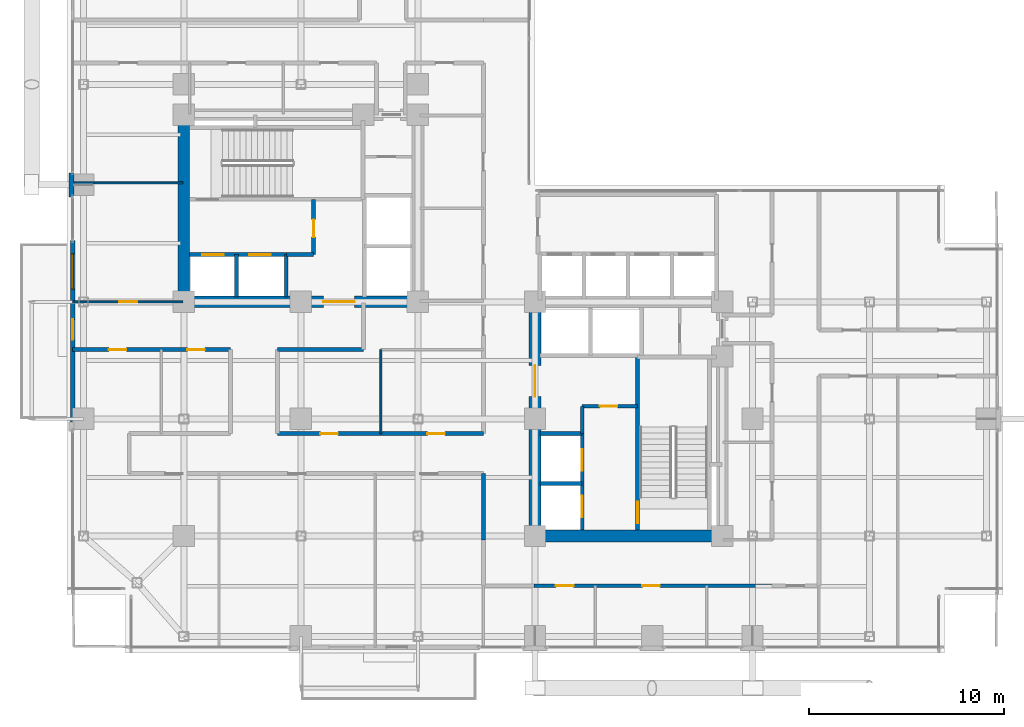
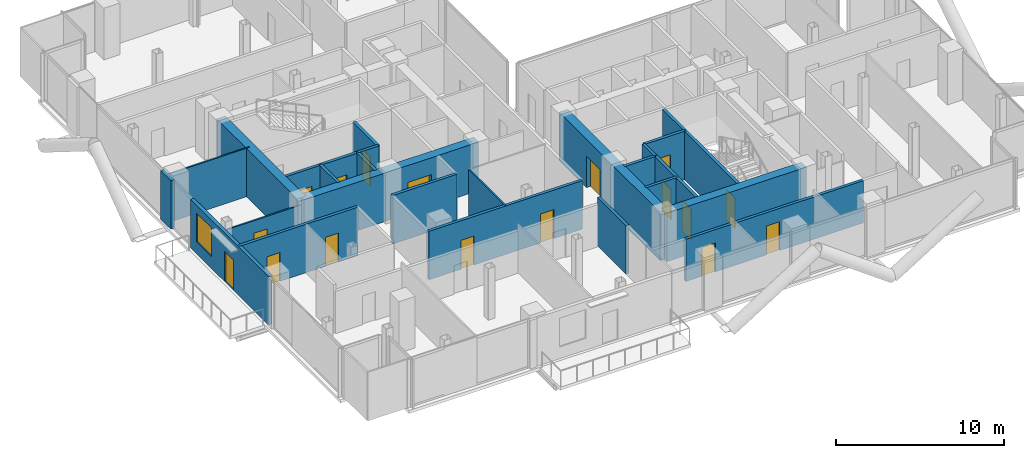
# One storey, part 19 of 24: 25 walls, 17 doors, 1 window, 18 openings.
"""IFC4 building model written with IfcOpenShell, lengths in metres."""

from ifc_helpers import new_model, si_unit, direction, frame, frame_2d, origin, place, context, subcontext, project, spatial, rectangle, extrude, material, layer, layer_set, type_object, element, fill, save


model = new_model("IFC4")

# Units and contexts
model_context = context("Model", 3, precision=1e-05, world=origin(), true_north=direction((0.0, 1.0)))
body_context = subcontext(model_context, "Body", "Model", "MODEL_VIEW")
ifc_project = project(units=[si_unit("LENGTHUNIT", "METRE"), si_unit("AREAUNIT", "SQUARE_METRE"), si_unit("VOLUMEUNIT", "CUBIC_METRE"), si_unit("PLANEANGLEUNIT", "RADIAN"), si_unit("MASSUNIT", "GRAM", prefix="KILO"), si_unit("THERMODYNAMICTEMPERATUREUNIT", "KELVIN"), si_unit("POWERUNIT", "WATT")], contexts=[model_context])

# Site, building, storey
site_placement = place(None, origin())
site = spatial("IfcSite", under=ifc_project, at=site_placement, CompositionType="ELEMENT")
building_placement = place(site_placement, origin())
building = spatial("IfcBuilding", under=site, at=building_placement, Name="Svarakhadi Broadcast Tower", CompositionType="ELEMENT")
storey_placement = place(building_placement, frame((0.0, 0.0, 145.64990234375)))
storey = spatial("IfcBuildingStorey", under=building, at=storey_placement, Name="L35", CompositionType="ELEMENT", Elevation=145.64990234375)

# Wall, openings, doors
ifc_material_1 = material(Name="Double-Stud Acoustic Studio Partition STC-62", Category="gypsum")
ifc_layer_1 = layer(ifc_material_1, 0.199951171875)
ifc_layer_set_1 = layer_set([ifc_layer_1], Name="Double-Stud Acoustic Studio Partition STC-62")
wall_type_1 = type_object("IfcWallType", Name="Wall_Acoust_200", PredefinedType="PARTITIONING", material=ifc_layer_set_1)
wall_1_placement = place(storey_placement, frame((36.14990234375, 3.449951171875, 0.0), z_axis=(0.0, 0.0, 1.0), x_axis=(-1.0, 0.0, 0.0)))
wall_1 = element("IfcWall", 1, at=wall_1_placement, inside=storey, type_object=wall_type_1, Name="L35 Zone 2/3 Corridor Wall", PredefinedType="PARTITIONING", context=body_context, shape_type="SweptSolid", body=[
    extrude(rectangle(XDim=12.199951171875, YDim=0.199951171875, at=frame_2d((6.10009765625, 0.0))), origin(), (0.0, 0.0, 1.0), 3.067138671875),
])
opening_1_placement = place(wall_1_placement, frame((10.175048828125, 0.0, 0.0)))
opening_1 = element("IfcOpeningElement", 2, at=opening_1_placement, cuts=wall_1, Name="Opening D-15", PredefinedType="OPENING", context=body_context, shape_type="SweptSolid", body=[
    extrude(rectangle(XDim=0.89990234375, YDim=2.10009765625, at=frame_2d((0.449951171875, 1.050048828125))), frame((0.0, 0.10986328125, 0.0), z_axis=(0.0, -1.0, 0.0), x_axis=(1.0, 0.0, 0.0)), (0.0, 0.0, 1.0), 0.219970703125),
])
opening_2_placement = place(wall_1_placement, frame((5.75, 0.0, 0.0)))
opening_2 = element("IfcOpeningElement", 3, at=opening_2_placement, cuts=wall_1, Name="Opening D-14", PredefinedType="OPENING", context=body_context, shape_type="SweptSolid", body=[
    extrude(rectangle(XDim=0.89990234375, YDim=2.10009765625, at=frame_2d((0.449951171875, 1.050048828125))), frame((0.0, 0.10986328125, 0.0), z_axis=(0.0, -1.0, 0.0), x_axis=(1.0, 0.0, 0.0)), (0.0, 0.0, 1.0), 0.219970703125),
])
ifc_material_2 = material(Name="Solid-Core Teak Veneer Acoustic Timber Leaf", Category="wood")
door_type_1 = type_object("IfcDoorType", Name="Door_Int_D14", OperationType="SINGLE_SWING_LEFT", PredefinedType="DOOR", material=ifc_material_2)
door_1_placement = place(opening_2_placement, origin())
door_1 = element("IfcDoor", 4, at=door_1_placement, inside=storey, type_object=door_type_1, Name="L35 Client Preview Briefing Room Door", OperationType="SINGLE_SWING_LEFT", OverallHeight=2.10009765625, OverallWidth=0.89990234375, PredefinedType="DOOR", context=body_context, shape_type="SweptSolid", body=[
    extrude(rectangle(XDim=0.89990234375, YDim=2.10009765625, at=frame_2d((0.449951171875, 1.050048828125))), frame((0.0, 0.02490234375, 0.0), z_axis=(0.0, -1.0, 0.0), x_axis=(1.0, 0.0, 0.0)), (0.0, 0.0, 1.0), 0.050048828125),
])
fill(opening_2, door_1)
door_type_2 = type_object("IfcDoorType", Name="Door_Int_D15", OperationType="SINGLE_SWING_RIGHT", PredefinedType="DOOR", material=ifc_material_2)
door_2_placement = place(opening_1_placement, origin())
door_2 = element("IfcDoor", 5, at=door_2_placement, inside=storey, type_object=door_type_2, Name="L35 Harbour Front Production Office Door", OperationType="SINGLE_SWING_RIGHT", OverallHeight=2.10009765625, OverallWidth=0.89990234375, PredefinedType="DOOR", context=body_context, shape_type="SweptSolid", body=[
    extrude(rectangle(XDim=0.89990234375, YDim=2.10009765625, at=frame_2d((0.449951171875, 1.050048828125))), frame((0.0, 0.02490234375, 0.0), z_axis=(0.0, -1.0, 0.0), x_axis=(1.0, 0.0, 0.0)), (0.0, 0.0, 1.0), 0.050048828125),
])
fill(opening_1, door_2)

# Wall
wall_2_placement = place(storey_placement, frame((21.35009765625, 5.800048828125, 0.0), z_axis=(0.0, 0.0, 1.0), x_axis=(0.0, 1.0, 0.0)))
element("IfcWall", 6, at=wall_2_placement, inside=storey, type_object=wall_type_1, Name="L35 Zone 2/3 Corridor Wall", PredefinedType="PARTITIONING", context=body_context, shape_type="SweptSolid", body=[
    extrude(rectangle(XDim=3.39990234375, YDim=0.199951171875, at=frame_2d((1.699951171875, 0.0))), origin(), (0.0, 0.0, 1.0), 3.525146484375),
])

# Wall, openings, doors
wall_3_placement = place(storey_placement, frame((8.39990234375, 15.550048828125, 0.0), z_axis=(0.0, 0.0, 1.0), x_axis=(-1.0, 0.0, 0.0)))
wall_3 = element("IfcWall", 7, at=wall_3_placement, inside=storey, type_object=wall_type_1, Name="L35 Zone 2/3 Corridor Wall", PredefinedType="PARTITIONING", context=body_context, shape_type="SweptSolid", body=[
    extrude(rectangle(XDim=8.099853515625, YDim=0.199951171875, at=frame_2d((4.0498046875, 0.0))), origin(), (0.0, 0.0, 1.0), 3.525146484375),
])
opening_3_placement = place(wall_3_placement, frame((5.35009765625, 0.0, 0.0)))
opening_3 = element("IfcOpeningElement", 8, at=opening_3_placement, cuts=wall_3, Name="Opening D-14", PredefinedType="OPENING", context=body_context, shape_type="SweptSolid", body=[
    extrude(rectangle(XDim=0.89990234375, YDim=2.10009765625, at=frame_2d((0.449951171875, 1.050048828125))), frame((0.0, 0.10986328125, 0.0), z_axis=(0.0, -1.0, 0.0), x_axis=(1.0, 0.0, 0.0)), (0.0, 0.0, 1.0), 0.219970703125),
])
opening_4_placement = place(wall_3_placement, frame((1.324951171875, 0.0, 0.0)))
opening_4 = element("IfcOpeningElement", 9, at=opening_4_placement, cuts=wall_3, Name="Opening D-15", PredefinedType="OPENING", context=body_context, shape_type="SweptSolid", body=[
    extrude(rectangle(XDim=0.89990234375, YDim=2.10009765625, at=frame_2d((0.449951171875, 1.050048828125))), frame((0.0, 0.10986328125, 0.0), z_axis=(0.0, -1.0, 0.0), x_axis=(1.0, 0.0, 0.0)), (0.0, 0.0, 1.0), 0.219970703125),
])
door_3_placement = place(opening_3_placement, origin())
door_3 = element("IfcDoor", 10, at=door_3_placement, inside=storey, type_object=door_type_1, Name="L35 Photogrammetry Rig Room Door", OperationType="SINGLE_SWING_LEFT", OverallHeight=2.10009765625, OverallWidth=0.89990234375, PredefinedType="DOOR", context=body_context, shape_type="SweptSolid", body=[
    extrude(rectangle(XDim=0.89990234375, YDim=2.10009765625, at=frame_2d((0.449951171875, 1.050048828125))), frame((0.0, 0.02490234375, 0.0), z_axis=(0.0, -1.0, 0.0), x_axis=(1.0, 0.0, 0.0)), (0.0, 0.0, 1.0), 0.050048828125),
])
fill(opening_3, door_3)
door_4_placement = place(opening_4_placement, origin())
door_4 = element("IfcDoor", 11, at=door_4_placement, inside=storey, type_object=door_type_2, Name="L35 Pipeline Engineer Office Door", OperationType="SINGLE_SWING_RIGHT", OverallHeight=2.10009765625, OverallWidth=0.89990234375, PredefinedType="DOOR", context=body_context, shape_type="SweptSolid", body=[
    extrude(rectangle(XDim=0.89990234375, YDim=2.10009765625, at=frame_2d((0.449951171875, 1.050048828125))), frame((0.0, 0.02490234375, 0.0), z_axis=(0.0, -1.0, 0.0), x_axis=(1.0, 0.0, 0.0)), (0.0, 0.0, 1.0), 0.050048828125),
])
fill(opening_4, door_4)

# Wall
wall_4_placement = place(storey_placement, frame((15.199951171875, 15.550048828125, 0.0), z_axis=(0.0, 0.0, 1.0), x_axis=(-1.0, 0.0, 0.0)))
element("IfcWall", 12, at=wall_4_placement, inside=storey, type_object=wall_type_1, Name="L35 Zone 2/3 Corridor Wall", PredefinedType="PARTITIONING", context=body_context, shape_type="SweptSolid", body=[
    extrude(rectangle(XDim=4.39990234375, YDim=0.199951171875, at=frame_2d((2.199951171875, 0.0))), origin(), (0.0, 0.0, 1.0), 3.525146484375),
])

# Wall, openings, doors
wall_5_placement = place(storey_placement, frame((10.800048828125, 11.25, 0.0), z_axis=(0.0, 0.0, 1.0), x_axis=(1.0, 0.0, 0.0)))
wall_5 = element("IfcWall", 13, at=wall_5_placement, inside=storey, type_object=wall_type_1, Name="L35 Zone 2/3 Corridor Wall", PredefinedType="PARTITIONING", context=body_context, shape_type="SweptSolid", body=[
    extrude(rectangle(XDim=10.550048828125, YDim=0.199951171875, at=frame_2d((5.27490234375, 0.0))), origin(), (0.0, 0.0, 1.0), 3.525146484375),
])
opening_5_placement = place(wall_5_placement, frame((2.199951171875, 0.0, 0.0)))
opening_5 = element("IfcOpeningElement", 14, at=opening_5_placement, cuts=wall_5, Name="Opening D-15", PredefinedType="OPENING", context=body_context, shape_type="SweptSolid", body=[
    extrude(rectangle(XDim=0.89990234375, YDim=2.10009765625, at=frame_2d((0.449951171875, 1.050048828125))), frame((0.0, 0.10986328125, 0.0), z_axis=(0.0, -1.0, 0.0), x_axis=(1.0, 0.0, 0.0)), (0.0, 0.0, 1.0), 0.219970703125),
])
opening_6_placement = place(wall_5_placement, frame((7.679931640625, 0.0, 0.0)))
opening_6 = element("IfcOpeningElement", 15, at=opening_6_placement, cuts=wall_5, Name="Opening D-13", PredefinedType="OPENING", context=body_context, shape_type="SweptSolid", body=[
    extrude(rectangle(XDim=0.89990234375, YDim=2.10009765625, at=frame_2d((0.449951171875, 1.050048828125))), frame((0.0, 0.10986328125, 0.0), z_axis=(0.0, -1.0, 0.0), x_axis=(1.0, 0.0, 0.0)), (0.0, 0.0, 1.0), 0.219970703125),
])
door_type_3 = type_object("IfcDoorType", Name="Door_Closet_D13", OperationType="SINGLE_SWING_RIGHT", PredefinedType="DOOR", material=ifc_material_2)
door_5_placement = place(opening_6_placement, origin())
door_5 = element("IfcDoor", 16, at=door_5_placement, inside=storey, type_object=door_type_3, Name="L35 Accessible Floor Washroom WC Door", OperationType="SINGLE_SWING_RIGHT", OverallHeight=2.10009765625, OverallWidth=0.89990234375, PredefinedType="DOOR", context=body_context, shape_type="SweptSolid", body=[
    extrude(rectangle(XDim=0.89990234375, YDim=2.10009765625, at=frame_2d((0.449951171875, 1.050048828125))), frame((0.0, 0.02490234375, 0.0), z_axis=(0.0, -1.0, 0.0), x_axis=(1.0, 0.0, 0.0)), (0.0, 0.0, 1.0), 0.050048828125),
])
fill(opening_6, door_5)
door_6_placement = place(opening_5_placement, origin())
door_6 = element("IfcDoor", 17, at=door_6_placement, inside=storey, type_object=door_type_2, Name="L35 Central Review Briefing Pod Door", OperationType="SINGLE_SWING_RIGHT", OverallHeight=2.10009765625, OverallWidth=0.89990234375, PredefinedType="DOOR", context=body_context, shape_type="SweptSolid", body=[
    extrude(rectangle(XDim=0.89990234375, YDim=2.10009765625, at=frame_2d((0.449951171875, 1.050048828125))), frame((0.0, 0.02490234375, 0.0), z_axis=(0.0, -1.0, 0.0), x_axis=(1.0, 0.0, 0.0)), (0.0, 0.0, 1.0), 0.050048828125),
])
fill(opening_5, door_6)

# Wall, openings, door, window
ifc_material_3 = material(Name="Concrete C40/50 (IS 456 M50)", Category="concrete")
ifc_layer_2 = layer(ifc_material_3, 0.239990234375)
ifc_layer_set_2 = layer_set([ifc_layer_2], Name="Concrete C40/50 (IS 456 M50)")
wall_type_2 = type_object("IfcWallType", Name="Wall_Ext_240", PredefinedType="SOLIDWALL", material=ifc_layer_set_2)
wall_6_placement = place(storey_placement, frame((0.300048828125, 11.85498046875, 0.0), z_axis=(0.0, 0.0, 1.0), x_axis=(0.0, 1.0, 0.0)))
wall_6 = element("IfcWall", 18, at=wall_6_placement, inside=storey, type_object=wall_type_2, Name="L35 West Tree Balcony Spandrel Wall", PredefinedType="SOLIDWALL", context=body_context, shape_type="SweptSolid", body=[
    extrude(rectangle(XDim=9.2900390625, YDim=0.239990234375, at=frame_2d((4.64501953125, 0.0))), origin(), (0.0, 0.0, 1.0), 3.525146484375),
])
opening_7_placement = place(wall_6_placement, frame((4.199951171875, 0.0, 0.0)))
opening_7 = element("IfcOpeningElement", 19, at=opening_7_placement, cuts=wall_6, Name="Opening ED-06", PredefinedType="OPENING", context=body_context, shape_type="SweptSolid", body=[
    extrude(rectangle(XDim=1.050048828125, YDim=2.199951171875, at=frame_2d((0.52490234375, 1.10009765625))), frame((0.0, 0.1298828125, 0.0), z_axis=(0.0, -1.0, 0.0), x_axis=(1.0, 0.0, 0.0)), (0.0, 0.0, 1.0), 0.260009765625),
])
opening_8_placement = place(wall_6_placement, frame((6.800048828125, 0.0, 0.85009765625)))
opening_8 = element("IfcOpeningElement", 20, at=opening_8_placement, cuts=wall_6, Name="Opening WN-02", PredefinedType="OPENING", context=body_context, shape_type="SweptSolid", body=[
    extrude(rectangle(XDim=1.800048828125, YDim=2.10009765625, at=frame_2d((0.89990234375, 1.050048828125))), frame((0.0, 0.1298828125, 0.0), z_axis=(0.0, -1.0, 0.0), x_axis=(1.0, 0.0, 0.0)), (0.0, 0.0, 1.0), 0.260009765625),
])
ifc_material_4 = material(Name="Anodised Bronze Aluminium AA 6063-T6", Category="aluminium")
door_type_4 = type_object("IfcDoorType", Name="Door_Ext_ED06", OperationType="SINGLE_SWING_RIGHT", PredefinedType="DOOR", material=ifc_material_4)
door_7_placement = place(opening_7_placement, origin())
door_7 = element("IfcDoor", 21, at=door_7_placement, inside=storey, type_object=door_type_4, Name="L35 West Tree Balcony Door", OperationType="SINGLE_SWING_RIGHT", OverallHeight=2.199951171875, OverallWidth=1.050048828125, PredefinedType="DOOR", context=body_context, shape_type="SweptSolid", body=[
    extrude(rectangle(XDim=1.050048828125, YDim=2.199951171875, at=frame_2d((0.52490234375, 1.10009765625))), frame((0.0, 0.02490234375, 0.0), z_axis=(0.0, -1.0, 0.0), x_axis=(1.0, 0.0, 0.0)), (0.0, 0.0, 1.0), 0.050048828125),
])
fill(opening_7, door_7)
ifc_material_5 = material(Name="Double Low-E Laminated Acoustic Glass IGU 36 mm", Category="glass")
window_type = type_object("IfcWindowType", Name="Win_Fixed_WN02", PartitioningType="SINGLE_PANEL", PredefinedType="WINDOW", material=ifc_material_5)
window_placement = place(opening_8_placement, origin())
window = element("IfcWindow", 22, at=window_placement, inside=storey, type_object=window_type, Name="L35 West Tree Balcony Window", OverallHeight=2.10009765625, OverallWidth=1.800048828125, PartitioningType="SINGLE_PANEL", PredefinedType="WINDOW", context=body_context, shape_type="SweptSolid", body=[
    extrude(rectangle(XDim=1.800048828125, YDim=2.10009765625, at=frame_2d((0.89990234375, 1.050048828125))), frame((0.0, 0.030029296875, 0.0), z_axis=(0.0, -1.0, 0.0), x_axis=(1.0, 0.0, 0.0)), (0.0, 0.0, 1.0), 0.06005859375),
])
fill(opening_8, window)

# Walls
wall_7_placement = place(storey_placement, frame((0.239990234375, 23.385009765625, 0.0), z_axis=(0.0, 0.0, 1.0), x_axis=(0.0, 1.0, 0.0)))
element("IfcWall", 23, at=wall_7_placement, inside=storey, type_object=wall_type_2, Name="L35 Perimeter Bronze Spandrel Closure Wall 02", PredefinedType="SOLIDWALL", context=body_context, shape_type="SweptSolid", body=[
    extrude(rectangle(XDim=1.22998046875, YDim=0.239990234375, at=frame_2d((0.614990234375, 0.0))), origin(), (0.0, 0.0, 1.0), 3.525146484375),
])
ifc_material_6 = material(Name="Fire-Rated Moisture-Resistant Gypsum Board Partition", Category="gypsum")
ifc_layer_3 = layer(ifc_material_6, 0.10009765625)
ifc_layer_set_3 = layer_set([ifc_layer_3], Name="Fire-Rated Moisture-Resistant Gypsum Board Partition")
wall_type_3 = type_object("IfcWallType", Name="Wall_Part_100", PredefinedType="PARTITIONING", material=ifc_layer_set_3)
wall_8_placement = place(storey_placement, frame((16.10009765625, 11.25, 0.0), z_axis=(0.0, 0.0, 1.0), x_axis=(0.0, 1.0, 0.0)))
element("IfcWall", 24, at=wall_8_placement, inside=storey, type_object=wall_type_3, Name="L35 Central Review Briefing Pod Wall", PredefinedType="PARTITIONING", context=body_context, shape_type="SweptSolid", body=[
    extrude(rectangle(XDim=4.300048828125, YDim=0.10009765625, at=frame_2d((2.14990234375, 0.0))), origin(), (0.0, 0.0, 1.0), 3.525146484375),
])

# Wall, opening, door
wall_9_placement = place(storey_placement, frame((0.300048828125, 18.0, 0.0), z_axis=(0.0, 0.0, 1.0), x_axis=(1.0, 0.0, 0.0)))
wall_9 = element("IfcWall", 25, at=wall_9_placement, inside=storey, type_object=wall_type_3, Name="L35 Arabian Sea Executive Studio Wall", PredefinedType="PARTITIONING", context=body_context, shape_type="SweptSolid", body=[
    extrude(rectangle(XDim=5.64990234375, YDim=0.10009765625, at=frame_2d((2.824951171875, 0.0))), origin(), (0.0, 0.0, 1.0), 3.01708984375),
])
opening_9_placement = place(wall_9_placement, frame((2.39990234375, 0.0, 0.0)))
opening_9 = element("IfcOpeningElement", 26, at=opening_9_placement, cuts=wall_9, Name="Opening D-15", PredefinedType="OPENING", context=body_context, shape_type="SweptSolid", body=[
    extrude(rectangle(XDim=0.89990234375, YDim=2.10009765625, at=frame_2d((0.449951171875, 1.050048828125))), frame((0.0, 0.06005859375, 0.0), z_axis=(0.0, -1.0, 0.0), x_axis=(1.0, 0.0, 0.0)), (0.0, 0.0, 1.0), 0.1201171875),
])
door_8_placement = place(opening_9_placement, origin())
door_8 = element("IfcDoor", 27, at=door_8_placement, inside=storey, type_object=door_type_2, Name="L35 Arabian Sea Executive Studio Door", OperationType="SINGLE_SWING_RIGHT", OverallHeight=2.10009765625, OverallWidth=0.89990234375, PredefinedType="DOOR", context=body_context, shape_type="SweptSolid", body=[
    extrude(rectangle(XDim=0.89990234375, YDim=2.10009765625, at=frame_2d((0.449951171875, 1.050048828125))), frame((0.0, 0.02490234375, 0.0), z_axis=(0.0, -1.0, 0.0), x_axis=(1.0, 0.0, 0.0)), (0.0, 0.0, 1.0), 0.050048828125),
])
fill(opening_9, door_8)

# Wall
wall_10_placement = place(storey_placement, frame((0.300048828125, 24.10009765625, 0.0), z_axis=(0.0, 0.0, 1.0), x_axis=(1.0, 0.0, 0.0)))
element("IfcWall", 28, at=wall_10_placement, inside=storey, type_object=wall_type_3, Name="L35 Arabian Sea Executive Studio Wall", PredefinedType="PARTITIONING", context=body_context, shape_type="SweptSolid", body=[
    extrude(rectangle(XDim=5.64990234375, YDim=0.10009765625, at=frame_2d((2.824951171875, 0.0))), origin(), (0.0, 0.0, 1.0), 3.525146484375),
])

# Wall, opening, door
ifc_material_7 = material(Name="Concrete C50/60 (IS 456 M60)", Category="concrete")
ifc_layer_4 = layer(ifc_material_7, 0.199951171875)
ifc_layer_set_4 = layer_set([ifc_layer_4], Name="Concrete C50/60 (IS 456 M60)")
wall_type_4 = type_object("IfcWallType", Name="Wall_Shear_200", PredefinedType="SHEAR", material=ifc_layer_set_4)
wall_11_placement = place(storey_placement, frame((29.260009765625, 6.300048828125, 0.0), z_axis=(0.0, 0.0, 1.0), x_axis=(0.0, 1.0, 0.0)))
wall_11 = element("IfcWall", 29, at=wall_11_placement, inside=storey, type_object=wall_type_4, Name="L35 Stair ST-02 West RC Shaft Wall", PredefinedType="SHEAR", context=body_context, shape_type="SweptSolid", body=[
    extrude(rectangle(XDim=8.8798828125, YDim=0.199951171875, at=frame_2d((4.43994140625, 0.0))), origin(), (0.0, 0.0, 1.0), 3.525146484375),
])
opening_10_placement = place(wall_11_placement, frame((0.35009765625, 0.0, 0.0)))
opening_10 = element("IfcOpeningElement", 30, at=opening_10_placement, cuts=wall_11, Name="Opening D-02", PredefinedType="OPENING", context=body_context, shape_type="SweptSolid", body=[
    extrude(rectangle(XDim=1.10009765625, YDim=2.199951171875, at=frame_2d((0.550048828125, 1.10009765625))), frame((0.0, 0.10986328125, 0.0), z_axis=(0.0, -1.0, 0.0), x_axis=(1.0, 0.0, 0.0)), (0.0, 0.0, 1.0), 0.219970703125),
])
ifc_material_8 = material(Name="Galvanised Powder-Coated Fire-Rated Steel Leaf", Category="steel")
door_type_5 = type_object("IfcDoorType", Name="Door_Stair_D02", OperationType="SINGLE_SWING_RIGHT", PredefinedType="DOOR", material=ifc_material_8)
door_9_placement = place(opening_10_placement, origin())
door_9 = element("IfcDoor", 31, at=door_9_placement, inside=storey, type_object=door_type_5, Name="L35 Protected Exit Stair ST-02 Fire Door", OperationType="SINGLE_SWING_RIGHT", OverallHeight=2.199951171875, OverallWidth=1.10009765625, PredefinedType="DOOR", context=body_context, shape_type="SweptSolid", body=[
    extrude(rectangle(XDim=1.10009765625, YDim=2.199951171875, at=frame_2d((0.550048828125, 1.10009765625))), frame((0.0, 0.02490234375, 0.0), z_axis=(0.0, -1.0, 0.0), x_axis=(1.0, 0.0, 0.0)), (0.0, 0.0, 1.0), 0.050048828125),
])
fill(opening_10, door_9)

# Wall, openings, doors
wall_12_placement = place(storey_placement, frame((6.300048828125, 20.419921875, 0.0), z_axis=(0.0, 0.0, 1.0), x_axis=(1.0, 0.0, 0.0)))
wall_12 = element("IfcWall", 32, at=wall_12_placement, inside=storey, type_object=wall_type_4, Name="L35 Firefighting Lift LF-01/02 Shaft Wall", PredefinedType="SHEAR", context=body_context, shape_type="SweptSolid", body=[
    extrude(rectangle(XDim=4.949951171875, YDim=0.199951171875, at=frame_2d((2.47509765625, 0.0))), origin(), (0.0, 0.0, 1.0), 3.525146484375),
])
opening_11_placement = place(wall_12_placement, frame((0.64990234375, 0.0, 0.0)))
opening_11 = element("IfcOpeningElement", 33, at=opening_11_placement, cuts=wall_12, Name="Opening LD-01", PredefinedType="OPENING", context=body_context, shape_type="SweptSolid", body=[
    extrude(rectangle(XDim=1.10009765625, YDim=2.199951171875, at=frame_2d((0.550048828125, 1.10009765625))), frame((0.0, 0.10986328125, 0.0), z_axis=(0.0, -1.0, 0.0), x_axis=(1.0, 0.0, 0.0)), (0.0, 0.0, 1.0), 0.219970703125),
])
opening_12_placement = place(wall_12_placement, frame((3.050048828125, 0.0, 0.0)))
opening_12 = element("IfcOpeningElement", 34, at=opening_12_placement, cuts=wall_12, Name="Opening LD-01", PredefinedType="OPENING", context=body_context, shape_type="SweptSolid", body=[
    extrude(rectangle(XDim=1.10009765625, YDim=2.199951171875, at=frame_2d((0.550048828125, 1.10009765625))), frame((0.0, 0.10986328125, 0.0), z_axis=(0.0, -1.0, 0.0), x_axis=(1.0, 0.0, 0.0)), (0.0, 0.0, 1.0), 0.219970703125),
])
door_type_6 = type_object("IfcDoorType", Name="Door_Lift_LD01", OperationType="SLIDING_TO_LEFT", PredefinedType="DOOR", material=ifc_material_8)
door_10_placement = place(opening_11_placement, origin())
door_10 = element("IfcDoor", 35, at=door_10_placement, inside=storey, type_object=door_type_6, Name="L35 Firefighting Lift LF-01 Landing Door", OperationType="SLIDING_TO_LEFT", OverallHeight=2.199951171875, OverallWidth=1.10009765625, PredefinedType="DOOR", context=body_context, shape_type="SweptSolid", body=[
    extrude(rectangle(XDim=1.10009765625, YDim=2.199951171875, at=frame_2d((0.550048828125, 1.10009765625))), frame((0.0, 0.02490234375, 0.0), z_axis=(0.0, -1.0, 0.0), x_axis=(1.0, 0.0, 0.0)), (0.0, 0.0, 1.0), 0.050048828125),
])
fill(opening_11, door_10)
door_11_placement = place(opening_12_placement, origin())
door_11 = element("IfcDoor", 36, at=door_11_placement, inside=storey, type_object=door_type_6, Name="L35 Firefighting Lift LF-02 Landing Door", OperationType="SLIDING_TO_LEFT", OverallHeight=2.199951171875, OverallWidth=1.10009765625, PredefinedType="DOOR", context=body_context, shape_type="SweptSolid", body=[
    extrude(rectangle(XDim=1.10009765625, YDim=2.199951171875, at=frame_2d((0.550048828125, 1.10009765625))), frame((0.0, 0.02490234375, 0.0), z_axis=(0.0, -1.0, 0.0), x_axis=(1.0, 0.0, 0.0)), (0.0, 0.0, 1.0), 0.050048828125),
])
fill(opening_12, door_11)

# Walls
for number, where, z_axis, x_axis, name in (
    (37, (8.699951171875, 18.25, 0.0), (0.0, 0.0, 1.0), (0.0, 1.0, 0.0), "L35 Firefighting Lift LF-01/02 Divider Wall"),
    (38, (11.25, 18.25, 0.0), (0.0, 0.0, 1.0), (0.0, 1.0, 0.0), "L35 Firefighting Lift LF-02 East Wall"),
):
    element("IfcWall", number, at=place(storey_placement, frame(where, z_axis=z_axis, x_axis=x_axis)), inside=storey, type_object=wall_type_4, Name=name, PredefinedType="SHEAR", context=body_context, shape_type="SweptSolid", body=[
        extrude(rectangle(XDim=2.169921875, YDim=0.199951171875, at=frame_2d((1.0849609375, 0.0))), origin(), (0.0, 0.0, 1.0), 3.525146484375),
    ])
wall_13_placement = place(storey_placement, frame((11.25, 20.419921875, 0.0), z_axis=(0.0, 0.0, 1.0), x_axis=(1.0, 0.0, 0.0)))
element("IfcWall", 39, at=wall_13_placement, inside=storey, type_object=wall_type_4, Name="L35 West Firefighting Lobby South Wall", PredefinedType="SHEAR", context=body_context, shape_type="SweptSolid", body=[
    extrude(rectangle(XDim=1.39990234375, YDim=0.199951171875, at=frame_2d((0.699951171875, 0.0))), origin(), (0.0, 0.0, 1.0), 3.525146484375),
])

# Wall, opening, door
wall_14_placement = place(storey_placement, frame((12.64990234375, 20.419921875, 0.0), z_axis=(0.0, 0.0, 1.0), x_axis=(0.0, 1.0, 0.0)))
wall_14 = element("IfcWall", 40, at=wall_14_placement, inside=storey, type_object=wall_type_4, Name="L35 West Firefighting Lobby East Wall", PredefinedType="SHEAR", context=body_context, shape_type="SweptSolid", body=[
    extrude(rectangle(XDim=2.840087890625, YDim=0.199951171875, at=frame_2d((1.419921875, 0.0))), origin(), (0.0, 0.0, 1.0), 3.525146484375),
])
opening_13_placement = place(wall_14_placement, frame((0.89990234375, 0.0, 0.0)))
opening_13 = element("IfcOpeningElement", 41, at=opening_13_placement, cuts=wall_14, Name="Opening D-03", PredefinedType="OPENING", context=body_context, shape_type="SweptSolid", body=[
    extrude(rectangle(XDim=0.89990234375, YDim=2.14990234375, at=frame_2d((0.449951171875, 1.074951171875))), frame((0.0, 0.10986328125, 0.0), z_axis=(0.0, -1.0, 0.0), x_axis=(1.0, 0.0, 0.0)), (0.0, 0.0, 1.0), 0.219970703125),
])
door_type_7 = type_object("IfcDoorType", Name="Door_Fire_D03", OperationType="SINGLE_SWING_LEFT", PredefinedType="DOOR", material=ifc_material_8)
door_12_placement = place(opening_13_placement, origin())
door_12 = element("IfcDoor", 42, at=door_12_placement, inside=storey, type_object=door_type_7, Name="L35 West Firefighting Lobby Fire Door", OperationType="SINGLE_SWING_LEFT", OverallHeight=2.14990234375, OverallWidth=0.89990234375, PredefinedType="DOOR", context=body_context, shape_type="SweptSolid", body=[
    extrude(rectangle(XDim=0.89990234375, YDim=2.14990234375, at=frame_2d((0.449951171875, 1.074951171875))), frame((0.0, 0.02490234375, 0.0), z_axis=(0.0, -1.0, 0.0), x_axis=(1.0, 0.0, 0.0)), (0.0, 0.0, 1.0), 0.050048828125),
])
fill(opening_13, door_12)

# Wall, openings, doors
wall_15_placement = place(storey_placement, frame((26.419921875, 6.300048828125, 0.0), z_axis=(0.0, 0.0, 1.0), x_axis=(0.0, 1.0, 0.0)))
wall_15 = element("IfcWall", 43, at=wall_15_placement, inside=storey, type_object=wall_type_4, Name="L35 Firefighting Lift LF-03/04 Shaft Wall", PredefinedType="SHEAR", context=body_context, shape_type="SweptSolid", body=[
    extrude(rectangle(XDim=4.949951171875, YDim=0.199951171875, at=frame_2d((2.47509765625, 0.0))), origin(), (0.0, 0.0, 1.0), 3.525146484375),
])
opening_14_placement = place(wall_15_placement, frame((0.64990234375, 0.0, 0.0)))
opening_14 = element("IfcOpeningElement", 44, at=opening_14_placement, cuts=wall_15, Name="Opening LD-01", PredefinedType="OPENING", context=body_context, shape_type="SweptSolid", body=[
    extrude(rectangle(XDim=1.10009765625, YDim=2.199951171875, at=frame_2d((0.550048828125, 1.10009765625))), frame((0.0, 0.10986328125, 0.0), z_axis=(0.0, -1.0, 0.0), x_axis=(1.0, 0.0, 0.0)), (0.0, 0.0, 1.0), 0.219970703125),
])
opening_15_placement = place(wall_15_placement, frame((3.050048828125, 0.0, 0.0)))
opening_15 = element("IfcOpeningElement", 45, at=opening_15_placement, cuts=wall_15, Name="Opening LD-01", PredefinedType="OPENING", context=body_context, shape_type="SweptSolid", body=[
    extrude(rectangle(XDim=1.10009765625, YDim=2.199951171875, at=frame_2d((0.550048828125, 1.10009765625))), frame((0.0, 0.10986328125, 0.0), z_axis=(0.0, -1.0, 0.0), x_axis=(1.0, 0.0, 0.0)), (0.0, 0.0, 1.0), 0.219970703125),
])
door_13_placement = place(opening_14_placement, origin())
door_13 = element("IfcDoor", 46, at=door_13_placement, inside=storey, type_object=door_type_6, Name="L35 Firefighting Lift LF-03 Landing Door", OperationType="SLIDING_TO_LEFT", OverallHeight=2.199951171875, OverallWidth=1.10009765625, PredefinedType="DOOR", context=body_context, shape_type="SweptSolid", body=[
    extrude(rectangle(XDim=1.10009765625, YDim=2.199951171875, at=frame_2d((0.550048828125, 1.10009765625))), frame((0.0, 0.02490234375, 0.0), z_axis=(0.0, -1.0, 0.0), x_axis=(1.0, 0.0, 0.0)), (0.0, 0.0, 1.0), 0.050048828125),
])
fill(opening_14, door_13)
door_14_placement = place(opening_15_placement, origin())
door_14 = element("IfcDoor", 47, at=door_14_placement, inside=storey, type_object=door_type_6, Name="L35 Firefighting Lift LF-04 Landing Door", OperationType="SLIDING_TO_LEFT", OverallHeight=2.199951171875, OverallWidth=1.10009765625, PredefinedType="DOOR", context=body_context, shape_type="SweptSolid", body=[
    extrude(rectangle(XDim=1.10009765625, YDim=2.199951171875, at=frame_2d((0.550048828125, 1.10009765625))), frame((0.0, 0.02490234375, 0.0), z_axis=(0.0, -1.0, 0.0), x_axis=(1.0, 0.0, 0.0)), (0.0, 0.0, 1.0), 0.050048828125),
])
fill(opening_15, door_14)

# Walls
for number, where, z_axis, x_axis, name in (
    (48, (24.25, 8.699951171875, 0.0), (0.0, 0.0, 1.0), (1.0, 0.0, 0.0), "L35 Firefighting Lift LF-03/04 Divider Wall"),
    (49, (24.25, 11.25, 0.0), (0.0, 0.0, 1.0), (1.0, 0.0, 0.0), "L35 Firefighting Lift LF-04 North Wall"),
):
    element("IfcWall", number, at=place(storey_placement, frame(where, z_axis=z_axis, x_axis=x_axis)), inside=storey, type_object=wall_type_4, Name=name, PredefinedType="SHEAR", context=body_context, shape_type="SweptSolid", body=[
        extrude(rectangle(XDim=2.169921875, YDim=0.199951171875, at=frame_2d((1.0849609375, 0.0))), origin(), (0.0, 0.0, 1.0), 3.525146484375),
    ])
wall_16_placement = place(storey_placement, frame((26.419921875, 11.25, 0.0), z_axis=(0.0, 0.0, 1.0), x_axis=(0.0, 1.0, 0.0)))
element("IfcWall", 50, at=wall_16_placement, inside=storey, type_object=wall_type_4, Name="L35 East Firefighting Lobby West Wall", PredefinedType="SHEAR", context=body_context, shape_type="SweptSolid", body=[
    extrude(rectangle(XDim=1.39990234375, YDim=0.199951171875, at=frame_2d((0.699951171875, 0.0))), origin(), (0.0, 0.0, 1.0), 3.525146484375),
])

# Wall, opening, door
wall_17_placement = place(storey_placement, frame((26.419921875, 12.64990234375, 0.0), z_axis=(0.0, 0.0, 1.0), x_axis=(1.0, 0.0, 0.0)))
wall_17 = element("IfcWall", 51, at=wall_17_placement, inside=storey, type_object=wall_type_4, Name="L35 East Firefighting Lobby North Wall", PredefinedType="SHEAR", context=body_context, shape_type="SweptSolid", body=[
    extrude(rectangle(XDim=2.840087890625, YDim=0.199951171875, at=frame_2d((1.419921875, 0.0))), origin(), (0.0, 0.0, 1.0), 3.525146484375),
])
opening_16_placement = place(wall_17_placement, frame((0.89990234375, 0.0, 0.0)))
opening_16 = element("IfcOpeningElement", 52, at=opening_16_placement, cuts=wall_17, Name="Opening D-04", PredefinedType="OPENING", context=body_context, shape_type="SweptSolid", body=[
    extrude(rectangle(XDim=0.89990234375, YDim=2.14990234375, at=frame_2d((0.449951171875, 1.074951171875))), frame((0.0, 0.10986328125, 0.0), z_axis=(0.0, -1.0, 0.0), x_axis=(1.0, 0.0, 0.0)), (0.0, 0.0, 1.0), 0.219970703125),
])
door_type_8 = type_object("IfcDoorType", Name="Door_Fire_D04", OperationType="SINGLE_SWING_RIGHT", PredefinedType="DOOR", material=ifc_material_8)
door_15_placement = place(opening_16_placement, origin())
door_15 = element("IfcDoor", 53, at=door_15_placement, inside=storey, type_object=door_type_8, Name="L35 East Firefighting Lobby Fire Door", OperationType="SINGLE_SWING_RIGHT", OverallHeight=2.14990234375, OverallWidth=0.89990234375, PredefinedType="DOOR", context=body_context, shape_type="SweptSolid", body=[
    extrude(rectangle(XDim=0.89990234375, YDim=2.14990234375, at=frame_2d((0.449951171875, 1.074951171875))), frame((0.0, 0.02490234375, 0.0), z_axis=(0.0, -1.0, 0.0), x_axis=(1.0, 0.0, 0.0)), (0.0, 0.0, 1.0), 0.050048828125),
])
fill(opening_16, door_15)

ifc_material_9 = material(Name="Concrete C60/75 (IS 456 M70)", Category="concrete")
ifc_layer_5 = layer(ifc_material_9, 0.60009765625)
ifc_layer_set_5 = layer_set([ifc_layer_5], Name="Concrete C60/75 (IS 456 M70)")
wall_type_5 = type_object("IfcWallType", Name="Wall_Shear_600", PredefinedType="SHEAR", material=ifc_layer_set_5)
wall_18_placement = place(storey_placement, frame((6.0, 18.0, 0.0), z_axis=(0.0, 0.0, 1.0), x_axis=(1.0, 0.0, 0.0)))
wall_18 = element("IfcWall", 54, at=wall_18_placement, inside=storey, type_object=wall_type_5, Name="L35 West Core South Shear Wall", PredefinedType="SHEAR", context=body_context, shape_type="SweptSolid", body=[
    extrude(rectangle(XDim=12.0, YDim=0.60009765625, at=frame_2d((6.0, 0.0))), origin(), (0.0, 0.0, 1.0), 3.525146484375),
])
opening_17_placement = place(wall_18_placement, frame((7.14990234375, 0.0, 0.0)))
opening_17 = element("IfcOpeningElement", 55, at=opening_17_placement, cuts=wall_18, Name="Opening D-05", PredefinedType="OPENING", context=body_context, shape_type="SweptSolid", body=[
    extrude(rectangle(XDim=1.60009765625, YDim=2.300048828125, at=frame_2d((0.800048828125, 1.14990234375))), frame((0.0, 0.31005859375, 0.0), z_axis=(0.0, -1.0, 0.0), x_axis=(1.0, 0.0, 0.0)), (0.0, 0.0, 1.0), 0.6201171875),
])
door_type_9 = type_object("IfcDoorType", Name="Door_Lobby_D05", OperationType="DOUBLE_DOOR_SLIDING", PredefinedType="DOOR", material=ifc_material_4)
door_16_placement = place(opening_17_placement, origin())
door_16 = element("IfcDoor", 56, at=door_16_placement, inside=storey, type_object=door_type_9, Name="L35 West Core Passenger Lift Lobby Entrance Door", OperationType="DOUBLE_DOOR_SLIDING", OverallHeight=2.300048828125, OverallWidth=1.60009765625, PredefinedType="DOOR", context=body_context, shape_type="SweptSolid", body=[
    extrude(rectangle(XDim=1.60009765625, YDim=2.300048828125, at=frame_2d((0.800048828125, 1.14990234375))), frame((0.0, 0.02490234375, 0.0), z_axis=(0.0, -1.0, 0.0), x_axis=(1.0, 0.0, 0.0)), (0.0, 0.0, 1.0), 0.050048828125),
])
fill(opening_17, door_16)

# Walls
for number, where, z_axis, x_axis, name in (
    (57, (6.0, 18.0, 0.0), (0.0, 0.0, 1.0), (0.0, 1.0, 0.0), "L35 West Core West Shear Wall"),
    (58, (24.0, 6.0, 0.0), (0.0, 0.0, 1.0), (1.0, 0.0, 0.0), "L35 East Core South Shear Wall"),
):
    element("IfcWall", number, at=place(storey_placement, frame(where, z_axis=z_axis, x_axis=x_axis)), inside=storey, type_object=wall_type_5, Name=name, PredefinedType="SHEAR", context=body_context, shape_type="SweptSolid", body=[
        extrude(rectangle(XDim=9.60009765625, YDim=0.60009765625, at=frame_2d((4.800048828125, 0.0))), origin(), (0.0, 0.0, 1.0), 3.525146484375),
    ])

# Wall, opening, door
wall_19_placement = place(storey_placement, frame((24.0, 6.0, 0.0), z_axis=(0.0, 0.0, 1.0), x_axis=(0.0, 1.0, 0.0)))
wall_19 = element("IfcWall", 59, at=wall_19_placement, inside=storey, type_object=wall_type_5, Name="L35 East Core West Shear Wall", PredefinedType="SHEAR", context=body_context, shape_type="SweptSolid", body=[
    extrude(rectangle(XDim=12.0, YDim=0.60009765625, at=frame_2d((6.0, 0.0))), origin(), (0.0, 0.0, 1.0), 3.525146484375),
])
opening_18_placement = place(wall_19_placement, frame((7.14990234375, 0.0, 0.0)))
opening_18 = element("IfcOpeningElement", 60, at=opening_18_placement, cuts=wall_19, Name="Opening D-05", PredefinedType="OPENING", context=body_context, shape_type="SweptSolid", body=[
    extrude(rectangle(XDim=1.60009765625, YDim=2.300048828125, at=frame_2d((0.800048828125, 1.14990234375))), frame((0.0, 0.31005859375, 0.0), z_axis=(0.0, -1.0, 0.0), x_axis=(1.0, 0.0, 0.0)), (0.0, 0.0, 1.0), 0.6201171875),
])
door_17_placement = place(opening_18_placement, origin())
door_17 = element("IfcDoor", 61, at=door_17_placement, inside=storey, type_object=door_type_9, Name="L35 East Core Passenger Lift Lobby Entrance Door", OperationType="DOUBLE_DOOR_SLIDING", OverallHeight=2.300048828125, OverallWidth=1.60009765625, PredefinedType="DOOR", context=body_context, shape_type="SweptSolid", body=[
    extrude(rectangle(XDim=1.60009765625, YDim=2.300048828125, at=frame_2d((0.800048828125, 1.14990234375))), frame((0.0, 0.02490234375, 0.0), z_axis=(0.0, -1.0, 0.0), x_axis=(1.0, 0.0, 0.0)), (0.0, 0.0, 1.0), 0.050048828125),
])
fill(opening_18, door_17)

save(model, "model.ifc")
